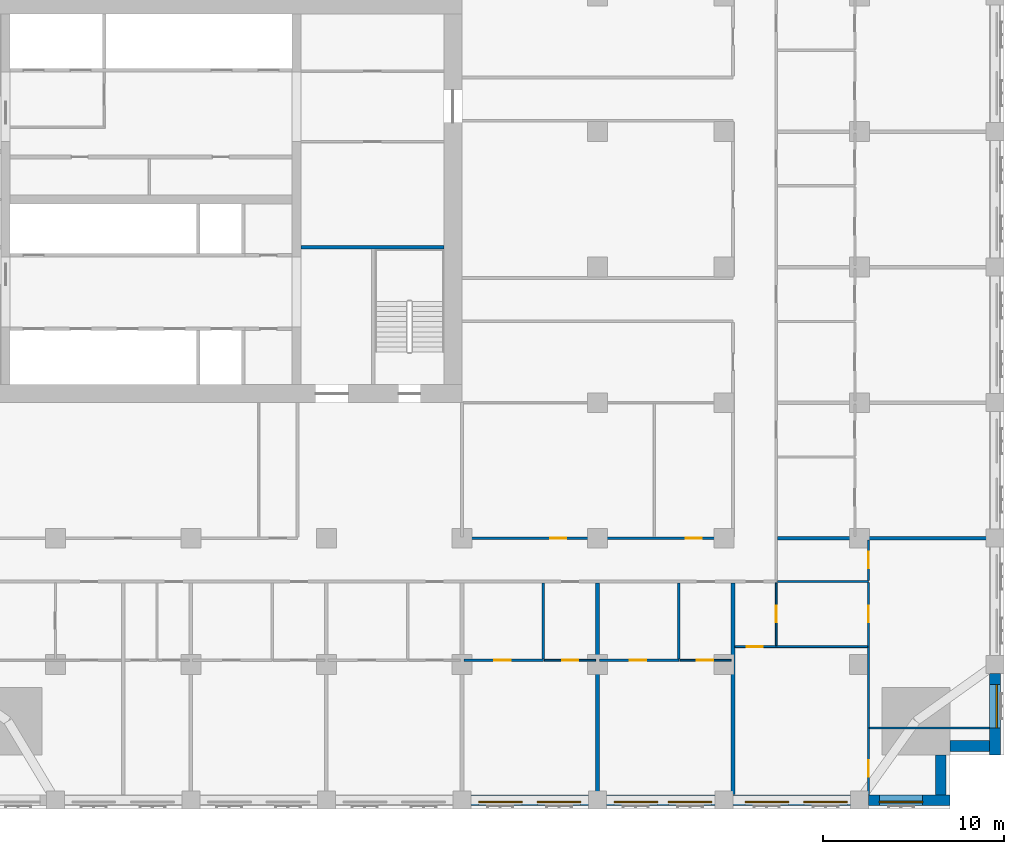
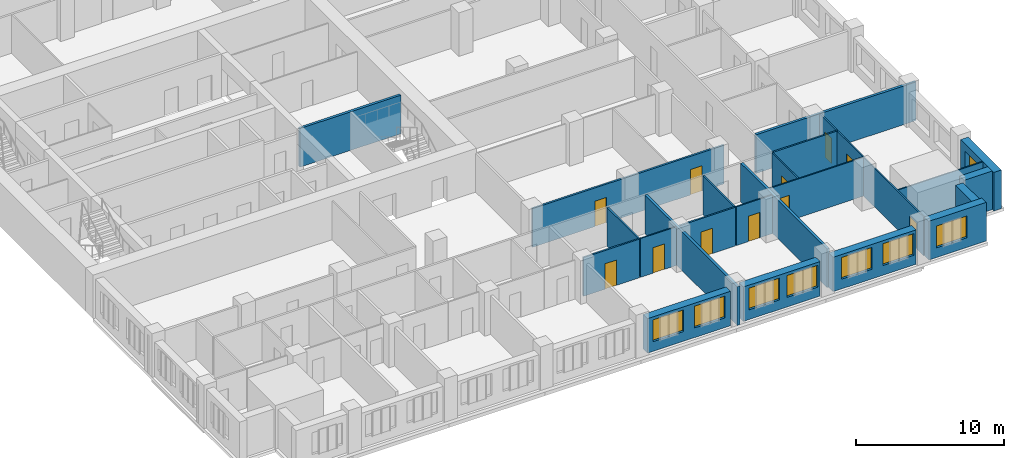
# One storey, part 6 of 14: 24 walls, 11 doors, 8 windows, 19 openings.
"""IFC4 building model written with IfcOpenShell, lengths in metres."""

from ifc_helpers import new_model, si_unit, direction, frame, frame_2d, origin, place, context, subcontext, project, spatial, rectangle, extrude, material, layer, layer_set, type_object, element, fill, save


model = new_model("IFC4")

# Units and contexts
model_context = context("Model", 3, precision=1e-05, world=origin(), true_north=direction((0.0, 1.0)))
body_context = subcontext(model_context, "Body", "Model", "MODEL_VIEW")
ifc_project = project(units=[si_unit("LENGTHUNIT", "METRE"), si_unit("AREAUNIT", "SQUARE_METRE"), si_unit("VOLUMEUNIT", "CUBIC_METRE"), si_unit("PLANEANGLEUNIT", "RADIAN"), si_unit("MASSUNIT", "GRAM", prefix="KILO")], contexts=[model_context])

# Site, building, storey
site_placement = place(None, origin())
site = spatial("IfcSite", under=ifc_project, at=site_placement, CompositionType="ELEMENT")
building_placement = place(site_placement, origin())
building = spatial("IfcBuilding", under=site, at=building_placement, Name="Tamorin Gate", CompositionType="ELEMENT")
storey_placement = place(building_placement, frame((0.0, 0.0, 115.10009765625)))
storey = spatial("IfcBuildingStorey", under=building, at=storey_placement, Name="L28", CompositionType="ELEMENT", Elevation=115.10009765625)

# Wall, openings, windows
ifc_material_1 = material(Name="Precast concrete C40/50", Category="concrete")
ifc_layer_1 = layer(ifc_material_1, 0.60009765625)
ifc_layer_set_1 = layer_set([ifc_layer_1], Name="Precast concrete C40/50")
wall_type_1 = type_object("IfcWallType", Name="Board-marked concrete facade panel 600", PredefinedType="SOLIDWALL", material=ifc_layer_set_1)
wall_1_placement = place(storey_placement, frame((60.5, 38.0, 0.0), z_axis=(0.0, 0.0, 1.0), x_axis=(1.0, 0.0, 0.0)))
wall_1 = element("IfcWall", 1, at=wall_1_placement, inside=storey, type_object=wall_type_1, Name="Facade panel", PredefinedType="SOLIDWALL", context=body_context, shape_type="SweptSolid", body=[
    extrude(rectangle(XDim=6.5, YDim=0.60009765625, at=frame_2d((3.25, 0.0))), origin(), (0.0, 0.0, 1.0), 2.849853515625),
])
opening_1_placement = place(wall_1_placement, frame((0.425048828125, 0.0, 0.800048828125)))
opening_1 = element("IfcOpeningElement", 2, at=opening_1_placement, cuts=wall_1, Name="Opening WN1", PredefinedType="OPENING", context=body_context, shape_type="SweptSolid", body=[
    extrude(rectangle(XDim=2.39990234375, YDim=1.800048828125, at=frame_2d((1.199951171875, 0.89990234375))), frame((0.0, 0.31005859375, 0.0), z_axis=(0.0, -1.0, 0.0), x_axis=(1.0, 0.0, 0.0)), (0.0, 0.0, 1.0), 0.6201171875),
])
opening_2_placement = place(wall_1_placement, frame((3.675048828125, 0.0, 0.800048828125)))
opening_2 = element("IfcOpeningElement", 3, at=opening_2_placement, cuts=wall_1, Name="Opening WN1", PredefinedType="OPENING", context=body_context, shape_type="SweptSolid", body=[
    extrude(rectangle(XDim=2.39990234375, YDim=1.800048828125, at=frame_2d((1.199951171875, 0.89990234375))), frame((0.0, 0.31005859375, 0.0), z_axis=(0.0, -1.0, 0.0), x_axis=(1.0, 0.0, 0.0)), (0.0, 0.0, 1.0), 0.6201171875),
])
ifc_material_2 = material(Name="Clear glass in aluminium frame", Category="aluminium")
window_type = type_object("IfcWindowType", Name="Deep-set window 2400x1800", PartitioningType="SINGLE_PANEL", PredefinedType="WINDOW", material=ifc_material_2)
window_1_placement = place(opening_1_placement, origin())
window_1 = element("IfcWindow", 4, at=window_1_placement, inside=storey, type_object=window_type, Name="Deep-set window", OverallHeight=1.800048828125, OverallWidth=2.39990234375, PartitioningType="SINGLE_PANEL", PredefinedType="WINDOW", context=body_context, shape_type="SweptSolid", body=[
    extrude(rectangle(XDim=2.39990234375, YDim=1.800048828125, at=frame_2d((1.199951171875, 0.89990234375))), frame((0.0, -0.070068359375, 0.0), z_axis=(0.0, -1.0, 0.0), x_axis=(1.0, 0.0, 0.0)), (0.0, 0.0, 1.0), 0.06005859375),
])
fill(opening_1, window_1)
window_2_placement = place(opening_2_placement, origin())
window_2 = element("IfcWindow", 5, at=window_2_placement, inside=storey, type_object=window_type, Name="Deep-set window", OverallHeight=1.800048828125, OverallWidth=2.39990234375, PartitioningType="SINGLE_PANEL", PredefinedType="WINDOW", context=body_context, shape_type="SweptSolid", body=[
    extrude(rectangle(XDim=2.39990234375, YDim=1.800048828125, at=frame_2d((1.199951171875, 0.89990234375))), frame((0.0, -0.070068359375, 0.0), z_axis=(0.0, -1.0, 0.0), x_axis=(1.0, 0.0, 0.0)), (0.0, 0.0, 1.0), 0.06005859375),
])
fill(opening_2, window_2)

wall_2_placement = place(storey_placement, frame((68.0, 38.0, 0.0), z_axis=(0.0, 0.0, 1.0), x_axis=(1.0, 0.0, 0.0)))
wall_2 = element("IfcWall", 6, at=wall_2_placement, inside=storey, type_object=wall_type_1, Name="Facade panel", PredefinedType="SOLIDWALL", context=body_context, shape_type="SweptSolid", body=[
    extrude(rectangle(XDim=6.0, YDim=0.60009765625, at=frame_2d((3.0, 0.0))), origin(), (0.0, 0.0, 1.0), 2.849853515625),
])
opening_3_placement = place(wall_2_placement, frame((0.425048828125, 0.0, 0.800048828125)))
opening_3 = element("IfcOpeningElement", 7, at=opening_3_placement, cuts=wall_2, Name="Opening WN1", PredefinedType="OPENING", context=body_context, shape_type="SweptSolid", body=[
    extrude(rectangle(XDim=2.39990234375, YDim=1.800048828125, at=frame_2d((1.199951171875, 0.89990234375))), frame((0.0, 0.31005859375, 0.0), z_axis=(0.0, -1.0, 0.0), x_axis=(1.0, 0.0, 0.0)), (0.0, 0.0, 1.0), 0.6201171875),
])
opening_4_placement = place(wall_2_placement, frame((3.425048828125, 0.0, 0.800048828125)))
opening_4 = element("IfcOpeningElement", 8, at=opening_4_placement, cuts=wall_2, Name="Opening WN1", PredefinedType="OPENING", context=body_context, shape_type="SweptSolid", body=[
    extrude(rectangle(XDim=2.39990234375, YDim=1.800048828125, at=frame_2d((1.199951171875, 0.89990234375))), frame((0.0, 0.31005859375, 0.0), z_axis=(0.0, -1.0, 0.0), x_axis=(1.0, 0.0, 0.0)), (0.0, 0.0, 1.0), 0.6201171875),
])
window_3_placement = place(opening_3_placement, origin())
window_3 = element("IfcWindow", 9, at=window_3_placement, inside=storey, type_object=window_type, Name="Deep-set window", OverallHeight=1.800048828125, OverallWidth=2.39990234375, PartitioningType="SINGLE_PANEL", PredefinedType="WINDOW", context=body_context, shape_type="SweptSolid", body=[
    extrude(rectangle(XDim=2.39990234375, YDim=1.800048828125, at=frame_2d((1.199951171875, 0.89990234375))), frame((0.0, -0.070068359375, 0.0), z_axis=(0.0, -1.0, 0.0), x_axis=(1.0, 0.0, 0.0)), (0.0, 0.0, 1.0), 0.06005859375),
])
fill(opening_3, window_3)
window_4_placement = place(opening_4_placement, origin())
window_4 = element("IfcWindow", 10, at=window_4_placement, inside=storey, type_object=window_type, Name="Deep-set window", OverallHeight=1.800048828125, OverallWidth=2.39990234375, PartitioningType="SINGLE_PANEL", PredefinedType="WINDOW", context=body_context, shape_type="SweptSolid", body=[
    extrude(rectangle(XDim=2.39990234375, YDim=1.800048828125, at=frame_2d((1.199951171875, 0.89990234375))), frame((0.0, -0.070068359375, 0.0), z_axis=(0.0, -1.0, 0.0), x_axis=(1.0, 0.0, 0.0)), (0.0, 0.0, 1.0), 0.06005859375),
])
fill(opening_4, window_4)

wall_3_placement = place(storey_placement, frame((75.0, 38.0, 0.0), z_axis=(0.0, 0.0, 1.0), x_axis=(1.0, 0.0, 0.0)))
wall_3 = element("IfcWall", 11, at=wall_3_placement, inside=storey, type_object=wall_type_1, Name="Facade panel", PredefinedType="SOLIDWALL", context=body_context, shape_type="SweptSolid", body=[
    extrude(rectangle(XDim=6.5, YDim=0.60009765625, at=frame_2d((3.25, 0.0))), origin(), (0.0, 0.0, 1.0), 2.849853515625),
])
opening_5_placement = place(wall_3_placement, frame((0.675048828125, 0.0, 0.800048828125)))
opening_5 = element("IfcOpeningElement", 12, at=opening_5_placement, cuts=wall_3, Name="Opening WN1", PredefinedType="OPENING", context=body_context, shape_type="SweptSolid", body=[
    extrude(rectangle(XDim=2.39990234375, YDim=1.800048828125, at=frame_2d((1.199951171875, 0.89990234375))), frame((0.0, 0.31005859375, 0.0), z_axis=(0.0, -1.0, 0.0), x_axis=(1.0, 0.0, 0.0)), (0.0, 0.0, 1.0), 0.6201171875),
])
opening_6_placement = place(wall_3_placement, frame((3.925048828125, 0.0, 0.800048828125)))
opening_6 = element("IfcOpeningElement", 13, at=opening_6_placement, cuts=wall_3, Name="Opening WN1", PredefinedType="OPENING", context=body_context, shape_type="SweptSolid", body=[
    extrude(rectangle(XDim=2.39990234375, YDim=1.800048828125, at=frame_2d((1.199951171875, 0.89990234375))), frame((0.0, 0.31005859375, 0.0), z_axis=(0.0, -1.0, 0.0), x_axis=(1.0, 0.0, 0.0)), (0.0, 0.0, 1.0), 0.6201171875),
])
window_5_placement = place(opening_5_placement, origin())
window_5 = element("IfcWindow", 14, at=window_5_placement, inside=storey, type_object=window_type, Name="Deep-set window", OverallHeight=1.800048828125, OverallWidth=2.39990234375, PartitioningType="SINGLE_PANEL", PredefinedType="WINDOW", context=body_context, shape_type="SweptSolid", body=[
    extrude(rectangle(XDim=2.39990234375, YDim=1.800048828125, at=frame_2d((1.199951171875, 0.89990234375))), frame((0.0, -0.070068359375, 0.0), z_axis=(0.0, -1.0, 0.0), x_axis=(1.0, 0.0, 0.0)), (0.0, 0.0, 1.0), 0.06005859375),
])
fill(opening_5, window_5)
window_6_placement = place(opening_6_placement, origin())
window_6 = element("IfcWindow", 15, at=window_6_placement, inside=storey, type_object=window_type, Name="Deep-set window", OverallHeight=1.800048828125, OverallWidth=2.39990234375, PartitioningType="SINGLE_PANEL", PredefinedType="WINDOW", context=body_context, shape_type="SweptSolid", body=[
    extrude(rectangle(XDim=2.39990234375, YDim=1.800048828125, at=frame_2d((1.199951171875, 0.89990234375))), frame((0.0, -0.070068359375, 0.0), z_axis=(0.0, -1.0, 0.0), x_axis=(1.0, 0.0, 0.0)), (0.0, 0.0, 1.0), 0.06005859375),
])
fill(opening_6, window_6)

# Wall, opening, window
wall_4_placement = place(storey_placement, frame((82.5, 38.0, 0.0), z_axis=(0.0, 0.0, 1.0), x_axis=(1.0, 0.0, 0.0)))
wall_4 = element("IfcWall", 16, at=wall_4_placement, inside=storey, type_object=wall_type_1, Name="Facade panel", PredefinedType="SOLIDWALL", context=body_context, shape_type="SweptSolid", body=[
    extrude(rectangle(XDim=4.5, YDim=0.60009765625, at=frame_2d((2.25, 0.0))), origin(), (0.0, 0.0, 1.0), 3.199951171875),
])
opening_7_placement = place(wall_4_placement, frame((0.60009765625, 0.0, 0.800048828125)))
opening_7 = element("IfcOpeningElement", 17, at=opening_7_placement, cuts=wall_4, Name="Opening WN1", PredefinedType="OPENING", context=body_context, shape_type="SweptSolid", body=[
    extrude(rectangle(XDim=2.39990234375, YDim=1.800048828125, at=frame_2d((1.199951171875, 0.89990234375))), frame((0.0, 0.31005859375, 0.0), z_axis=(0.0, -1.0, 0.0), x_axis=(1.0, 0.0, 0.0)), (0.0, 0.0, 1.0), 0.6201171875),
])
window_7_placement = place(opening_7_placement, origin())
window_7 = element("IfcWindow", 18, at=window_7_placement, inside=storey, type_object=window_type, Name="Deep-set window", OverallHeight=1.800048828125, OverallWidth=2.39990234375, PartitioningType="SINGLE_PANEL", PredefinedType="WINDOW", context=body_context, shape_type="SweptSolid", body=[
    extrude(rectangle(XDim=2.39990234375, YDim=1.800048828125, at=frame_2d((1.199951171875, 0.89990234375))), frame((0.0, -0.070068359375, 0.0), z_axis=(0.0, -1.0, 0.0), x_axis=(1.0, 0.0, 0.0)), (0.0, 0.0, 1.0), 0.06005859375),
])
fill(opening_7, window_7)

# Walls
for number, where, z_axis, x_axis, name in (
    (19, (86.5, 38.300048828125, 0.0), (0.0, 0.0, 1.0), (0.0, 1.0, 0.0), "Facade panel"),
    (20, (87.0, 41.0, 0.0), (0.0, 0.0, 1.0), (1.0, 0.0, 0.0), "Facade panel"),
):
    element("IfcWall", number, at=place(storey_placement, frame(where, z_axis=z_axis, x_axis=x_axis)), inside=storey, type_object=wall_type_1, Name=name, PredefinedType="SOLIDWALL", context=body_context, shape_type="SweptSolid", body=[
        extrude(rectangle(XDim=2.199951171875, YDim=0.60009765625, at=frame_2d((1.10009765625, 0.0))), origin(), (0.0, 0.0, 1.0), 3.199951171875),
    ])

# Wall, opening, window
wall_5_placement = place(storey_placement, frame((89.5, 40.5, 0.0), z_axis=(0.0, 0.0, 1.0), x_axis=(0.0, 1.0, 0.0)))
wall_5 = element("IfcWall", 21, at=wall_5_placement, inside=storey, type_object=wall_type_1, Name="Facade panel", PredefinedType="SOLIDWALL", context=body_context, shape_type="SweptSolid", body=[
    extrude(rectangle(XDim=4.5, YDim=0.60009765625, at=frame_2d((2.25, 0.0))), origin(), (0.0, 0.0, 1.0), 3.199951171875),
])
opening_8_placement = place(wall_5_placement, frame((1.5, 0.0, 0.800048828125)))
opening_8 = element("IfcOpeningElement", 22, at=opening_8_placement, cuts=wall_5, Name="Opening WN1", PredefinedType="OPENING", context=body_context, shape_type="SweptSolid", body=[
    extrude(rectangle(XDim=2.39990234375, YDim=1.800048828125, at=frame_2d((1.199951171875, 0.89990234375))), frame((0.0, 0.31005859375, 0.0), z_axis=(0.0, -1.0, 0.0), x_axis=(1.0, 0.0, 0.0)), (0.0, 0.0, 1.0), 0.6201171875),
])
window_8_placement = place(opening_8_placement, origin())
window_8 = element("IfcWindow", 23, at=window_8_placement, inside=storey, type_object=window_type, Name="Deep-set window", OverallHeight=1.800048828125, OverallWidth=2.39990234375, PartitioningType="SINGLE_PANEL", PredefinedType="WINDOW", context=body_context, shape_type="SweptSolid", body=[
    extrude(rectangle(XDim=2.39990234375, YDim=1.800048828125, at=frame_2d((1.199951171875, 0.89990234375))), frame((0.0, -0.070068359375, 0.0), z_axis=(0.0, -1.0, 0.0), x_axis=(1.0, 0.0, 0.0)), (0.0, 0.0, 1.0), 0.06005859375),
])
fill(opening_8, window_8)

# Wall, openings, doors
ifc_material_3 = material(Name="Gypsum board partition")
ifc_layer_2 = layer(ifc_material_3, 0.14990234375)
ifc_layer_set_2 = layer_set([ifc_layer_2], Name="Corridor wall 150")
wall_type_2 = type_object("IfcWallType", Name="Corridor wall 150", PredefinedType="PARTITIONING", material=ifc_layer_set_2)
wall_6_placement = place(storey_placement, frame((60.0, 52.5, 0.0), z_axis=(0.0, 0.0, 1.0), x_axis=(1.0, 0.0, 0.0)))
wall_6 = element("IfcWall", 24, at=wall_6_placement, inside=storey, type_object=wall_type_2, Name="Corridor wall 150", PredefinedType="PARTITIONING", context=body_context, shape_type="SweptSolid", body=[
    extrude(rectangle(XDim=15.0, YDim=0.14990234375, at=frame_2d((7.5, 0.0))), origin(), (0.0, 0.0, 1.0), 3.199951171875),
])
opening_9_placement = place(wall_6_placement, frame((4.875, 0.0, 0.0)))
opening_9 = element("IfcOpeningElement", 25, at=opening_9_placement, cuts=wall_6, Name="Opening DH7068", PredefinedType="OPENING", context=body_context, shape_type="SweptSolid", body=[
    extrude(rectangle(XDim=0.89990234375, YDim=2.10009765625, at=frame_2d((0.449951171875, 1.050048828125))), frame((0.0, 0.0849609375, 0.0), z_axis=(0.0, -1.0, 0.0), x_axis=(1.0, 0.0, 0.0)), (0.0, 0.0, 1.0), 0.169921875),
])
opening_10_placement = place(wall_6_placement, frame((12.375, 0.0, 0.0)))
opening_10 = element("IfcOpeningElement", 26, at=opening_10_placement, cuts=wall_6, Name="Opening DH7069", PredefinedType="OPENING", context=body_context, shape_type="SweptSolid", body=[
    extrude(rectangle(XDim=0.89990234375, YDim=2.10009765625, at=frame_2d((0.449951171875, 1.050048828125))), frame((0.0, 0.0849609375, 0.0), z_axis=(0.0, -1.0, 0.0), x_axis=(1.0, 0.0, 0.0)), (0.0, 0.0, 1.0), 0.169921875),
])
ifc_material_4 = material(Name="Timber door leaf", Category="wood")
door_type_1 = type_object("IfcDoorType", Name="Door 900 x 2100 FD30S", OperationType="NOTDEFINED", PredefinedType="DOOR", material=ifc_material_4)
door_1_placement = place(opening_9_placement, origin())
door_1 = element("IfcDoor", 27, at=door_1_placement, inside=storey, type_object=door_type_1, Name="Door DH7068", OperationType="SINGLE_SWING_RIGHT", OverallHeight=2.10009765625, OverallWidth=0.89990234375, PredefinedType="DOOR", context=body_context, shape_type="SweptSolid", body=[
    extrude(rectangle(XDim=0.89990234375, YDim=2.10009765625, at=frame_2d((0.449951171875, 1.050048828125))), frame((0.0, 0.02490234375, 0.0), z_axis=(0.0, -1.0, 0.0), x_axis=(1.0, 0.0, 0.0)), (0.0, 0.0, 1.0), 0.050048828125),
])
fill(opening_9, door_1)
door_2_placement = place(opening_10_placement, origin())
door_2 = element("IfcDoor", 28, at=door_2_placement, inside=storey, type_object=door_type_1, Name="Door DH7069", OperationType="SINGLE_SWING_RIGHT", OverallHeight=2.10009765625, OverallWidth=0.89990234375, PredefinedType="DOOR", context=body_context, shape_type="SweptSolid", body=[
    extrude(rectangle(XDim=0.89990234375, YDim=2.10009765625, at=frame_2d((0.449951171875, 1.050048828125))), frame((0.0, 0.02490234375, 0.0), z_axis=(0.0, -1.0, 0.0), x_axis=(1.0, 0.0, 0.0)), (0.0, 0.0, 1.0), 0.050048828125),
])
fill(opening_10, door_2)

# Walls
ifc_layer_3 = layer(ifc_material_3, 0.199951171875)
ifc_layer_set_3 = layer_set([ifc_layer_3], Name="Demising wall 200")
wall_type_3 = type_object("IfcWallType", Name="Demising wall 200", PredefinedType="PARTITIONING", material=ifc_layer_set_3)
for number, where, z_axis, x_axis, name in (
    (29, (77.47509765625, 52.5, 0.0), (0.0, 0.0, 1.0), (1.0, 0.0, 0.0), "Demising wall 200"),
    (30, (67.5, 37.5, 0.0), (0.0, 0.0, 1.0), (0.0, 1.0, 0.0), "Demising wall 200"),
):
    element("IfcWall", number, at=place(storey_placement, frame(where, z_axis=z_axis, x_axis=x_axis)), inside=storey, type_object=wall_type_3, Name=name, PredefinedType="PARTITIONING", context=body_context, shape_type="SweptSolid", body=[
        extrude(rectangle(XDim=12.52490234375, YDim=0.199951171875, at=frame_2d((6.262451171875, 0.0))), origin(), (0.0, 0.0, 1.0), 3.199951171875),
    ])
wall_7_placement = place(storey_placement, frame((75.0, 38.31005859375, 0.0), z_axis=(0.0, 0.0, 1.0), x_axis=(0.0, 1.0, 0.0)))
element("IfcWall", 31, at=wall_7_placement, inside=storey, type_object=wall_type_3, Name="Demising wall 200", PredefinedType="PARTITIONING", context=body_context, shape_type="SweptSolid", body=[
    extrude(rectangle(XDim=11.71484375, YDim=0.199951171875, at=frame_2d((5.857421875, 0.0))), origin(), (0.0, 0.0, 1.0), 3.199951171875),
])
ifc_layer_4 = layer(ifc_material_3, 0.10009765625)
ifc_layer_set_4 = layer_set([ifc_layer_4], Name="Room partition 100")
wall_type_4 = type_object("IfcWallType", Name="Room partition 100", PredefinedType="PARTITIONING", material=ifc_layer_set_4)
wall_8_placement = place(storey_placement, frame((82.550048828125, 42.0, 0.0), z_axis=(0.0, 0.0, 1.0), x_axis=(1.0, 0.0, 0.0)))
element("IfcWall", 32, at=wall_8_placement, inside=storey, type_object=wall_type_4, Name="Room partition 100", PredefinedType="PARTITIONING", context=body_context, shape_type="SweptSolid", body=[
    extrude(rectangle(XDim=6.639892578125, YDim=0.10009765625, at=frame_2d((3.31982421875, 0.0))), origin(), (0.0, 0.0, 1.0), 3.199951171875),
])

# Wall, opening, door
wall_9_placement = place(storey_placement, frame((64.5625, 45.75, 0.0), z_axis=(0.0, 0.0, 1.0), x_axis=(1.0, 0.0, 0.0)))
wall_9 = element("IfcWall", 33, at=wall_9_placement, inside=storey, type_object=wall_type_4, Name="Room partition 100", PredefinedType="PARTITIONING", context=body_context, shape_type="SweptSolid", body=[
    extrude(rectangle(XDim=2.83740234375, YDim=0.10009765625, at=frame_2d((1.418701171875, 0.0))), origin(), (0.0, 0.0, 1.0), 3.199951171875),
])
opening_11_placement = place(wall_9_placement, frame((0.987548828125, 0.0, 0.0)))
opening_11 = element("IfcOpeningElement", 34, at=opening_11_placement, cuts=wall_9, Name="Opening DH7016", PredefinedType="OPENING", context=body_context, shape_type="SweptSolid", body=[
    extrude(rectangle(XDim=0.89990234375, YDim=2.10009765625, at=frame_2d((0.449951171875, 1.050048828125))), frame((0.0, 0.06005859375, 0.0), z_axis=(0.0, -1.0, 0.0), x_axis=(1.0, 0.0, 0.0)), (0.0, 0.0, 1.0), 0.1201171875),
])
door_type_2 = type_object("IfcDoorType", Name="Door 900 x 2100", OperationType="NOTDEFINED", PredefinedType="DOOR", material=ifc_material_4)
door_3_placement = place(opening_11_placement, origin())
door_3 = element("IfcDoor", 35, at=door_3_placement, inside=storey, type_object=door_type_2, Name="Door DH7016", OperationType="SINGLE_SWING_LEFT", OverallHeight=2.10009765625, OverallWidth=0.89990234375, PredefinedType="DOOR", context=body_context, shape_type="SweptSolid", body=[
    extrude(rectangle(XDim=0.89990234375, YDim=2.10009765625, at=frame_2d((0.449951171875, 1.050048828125))), frame((0.0, 0.02490234375, 0.0), z_axis=(0.0, -1.0, 0.0), x_axis=(1.0, 0.0, 0.0)), (0.0, 0.0, 1.0), 0.050048828125),
])
fill(opening_11, door_3)

wall_10_placement = place(storey_placement, frame((72.0625, 45.75, 0.0), z_axis=(0.0, 0.0, 1.0), x_axis=(1.0, 0.0, 0.0)))
wall_10 = element("IfcWall", 36, at=wall_10_placement, inside=storey, type_object=wall_type_4, Name="Room partition 100", PredefinedType="PARTITIONING", context=body_context, shape_type="SweptSolid", body=[
    extrude(rectangle(XDim=2.83740234375, YDim=0.10009765625, at=frame_2d((1.418701171875, 0.0))), origin(), (0.0, 0.0, 1.0), 3.199951171875),
])
opening_12_placement = place(wall_10_placement, frame((0.9375, 0.0, 0.0)))
opening_12 = element("IfcOpeningElement", 37, at=opening_12_placement, cuts=wall_10, Name="Opening DH7019", PredefinedType="OPENING", context=body_context, shape_type="SweptSolid", body=[
    extrude(rectangle(XDim=0.89990234375, YDim=2.10009765625, at=frame_2d((0.449951171875, 1.050048828125))), frame((0.0, 0.06005859375, 0.0), z_axis=(0.0, -1.0, 0.0), x_axis=(1.0, 0.0, 0.0)), (0.0, 0.0, 1.0), 0.1201171875),
])
door_4_placement = place(opening_12_placement, origin())
door_4 = element("IfcDoor", 38, at=door_4_placement, inside=storey, type_object=door_type_2, Name="Door DH7019", OperationType="SINGLE_SWING_LEFT", OverallHeight=2.10009765625, OverallWidth=0.89990234375, PredefinedType="DOOR", context=body_context, shape_type="SweptSolid", body=[
    extrude(rectangle(XDim=0.89990234375, YDim=2.10009765625, at=frame_2d((0.449951171875, 1.050048828125))), frame((0.0, 0.02490234375, 0.0), z_axis=(0.0, -1.0, 0.0), x_axis=(1.0, 0.0, 0.0)), (0.0, 0.0, 1.0), 0.050048828125),
])
fill(opening_12, door_4)

wall_11_placement = place(storey_placement, frame((75.10009765625, 46.5, 0.0), z_axis=(0.0, 0.0, 1.0), x_axis=(1.0, 0.0, 0.0)))
wall_11 = element("IfcWall", 39, at=wall_11_placement, inside=storey, type_object=wall_type_4, Name="Room partition 100", PredefinedType="PARTITIONING", context=body_context, shape_type="SweptSolid", body=[
    extrude(rectangle(XDim=7.349853515625, YDim=0.10009765625, at=frame_2d((3.6748046875, 0.0))), origin(), (0.0, 0.0, 1.0), 3.199951171875),
])
opening_13_placement = place(wall_11_placement, frame((0.64990234375, 0.0, 0.0)))
opening_13 = element("IfcOpeningElement", 40, at=opening_13_placement, cuts=wall_11, Name="Opening DH7055", PredefinedType="OPENING", context=body_context, shape_type="SweptSolid", body=[
    extrude(rectangle(XDim=0.89990234375, YDim=2.10009765625, at=frame_2d((0.449951171875, 1.050048828125))), frame((0.0, 0.06005859375, 0.0), z_axis=(0.0, -1.0, 0.0), x_axis=(1.0, 0.0, 0.0)), (0.0, 0.0, 1.0), 0.1201171875),
])
door_5_placement = place(opening_13_placement, origin())
door_5 = element("IfcDoor", 41, at=door_5_placement, inside=storey, type_object=door_type_2, Name="Door DH7055", OperationType="SINGLE_SWING_RIGHT", OverallHeight=2.10009765625, OverallWidth=0.89990234375, PredefinedType="DOOR", context=body_context, shape_type="SweptSolid", body=[
    extrude(rectangle(XDim=0.89990234375, YDim=2.10009765625, at=frame_2d((0.449951171875, 1.050048828125))), frame((0.0, 0.02490234375, 0.0), z_axis=(0.0, -1.0, 0.0), x_axis=(1.0, 0.0, 0.0)), (0.0, 0.0, 1.0), 0.050048828125),
])
fill(opening_13, door_5)

wall_12_placement = place(storey_placement, frame((77.39990234375, 46.550048828125, 0.0), z_axis=(0.0, 0.0, 1.0), x_axis=(0.0, 1.0, 0.0)))
wall_12 = element("IfcWall", 42, at=wall_12_placement, inside=storey, type_object=wall_type_4, Name="Room partition 100", PredefinedType="PARTITIONING", context=body_context, shape_type="SweptSolid", body=[
    extrude(rectangle(XDim=3.474853515625, YDim=0.10009765625, at=frame_2d((1.7373046875, 0.0))), origin(), (0.0, 0.0, 1.0), 3.199951171875),
])
opening_14_placement = place(wall_12_placement, frame((1.300048828125, 0.0, 0.0)))
opening_14 = element("IfcOpeningElement", 43, at=opening_14_placement, cuts=wall_12, Name="Opening DH7056", PredefinedType="OPENING", context=body_context, shape_type="SweptSolid", body=[
    extrude(rectangle(XDim=0.89990234375, YDim=2.10009765625, at=frame_2d((0.449951171875, 1.050048828125))), frame((0.0, 0.06005859375, 0.0), z_axis=(0.0, -1.0, 0.0), x_axis=(1.0, 0.0, 0.0)), (0.0, 0.0, 1.0), 0.1201171875),
])
door_6_placement = place(opening_14_placement, origin())
door_6 = element("IfcDoor", 44, at=door_6_placement, inside=storey, type_object=door_type_2, Name="Door DH7056", OperationType="SINGLE_SWING_RIGHT", OverallHeight=2.10009765625, OverallWidth=0.89990234375, PredefinedType="DOOR", context=body_context, shape_type="SweptSolid", body=[
    extrude(rectangle(XDim=0.89990234375, YDim=2.10009765625, at=frame_2d((0.449951171875, 1.050048828125))), frame((0.0, 0.02490234375, 0.0), z_axis=(0.0, -1.0, 0.0), x_axis=(1.0, 0.0, 0.0)), (0.0, 0.0, 1.0), 0.050048828125),
])
fill(opening_14, door_6)

# Wall, openings, doors
wall_13_placement = place(storey_placement, frame((82.5, 38.31005859375, 0.0), z_axis=(0.0, 0.0, 1.0), x_axis=(0.0, 1.0, 0.0)))
wall_13 = element("IfcWall", 45, at=wall_13_placement, inside=storey, type_object=wall_type_4, Name="Room partition 100", PredefinedType="PARTITIONING", context=body_context, shape_type="SweptSolid", body=[
    extrude(rectangle(XDim=11.7275390625, YDim=0.10009765625, at=frame_2d((5.86376953125, 0.0))), origin(), (0.0, 0.0, 1.0), 3.199951171875),
])
opening_15_placement = place(wall_13_placement, frame((0.989990234375, 0.0, 0.0)))
opening_15 = element("IfcOpeningElement", 46, at=opening_15_placement, cuts=wall_13, Name="Opening DH7057", PredefinedType="OPENING", context=body_context, shape_type="SweptSolid", body=[
    extrude(rectangle(XDim=0.89990234375, YDim=2.10009765625, at=frame_2d((0.449951171875, 1.050048828125))), frame((0.0, 0.06005859375, 0.0), z_axis=(0.0, -1.0, 0.0), x_axis=(1.0, 0.0, 0.0)), (0.0, 0.0, 1.0), 0.1201171875),
])
opening_16_placement = place(wall_13_placement, frame((9.5400390625, 0.0, 0.0)))
opening_16 = element("IfcOpeningElement", 47, at=opening_16_placement, cuts=wall_13, Name="Opening DH7058", PredefinedType="OPENING", context=body_context, shape_type="SweptSolid", body=[
    extrude(rectangle(XDim=0.89990234375, YDim=2.10009765625, at=frame_2d((0.449951171875, 1.050048828125))), frame((0.0, 0.06005859375, 0.0), z_axis=(0.0, -1.0, 0.0), x_axis=(1.0, 0.0, 0.0)), (0.0, 0.0, 1.0), 0.1201171875),
])
door_7_placement = place(opening_15_placement, origin())
door_7 = element("IfcDoor", 48, at=door_7_placement, inside=storey, type_object=door_type_2, Name="Door DH7057", OperationType="SINGLE_SWING_LEFT", OverallHeight=2.10009765625, OverallWidth=0.89990234375, PredefinedType="DOOR", context=body_context, shape_type="SweptSolid", body=[
    extrude(rectangle(XDim=0.89990234375, YDim=2.10009765625, at=frame_2d((0.449951171875, 1.050048828125))), frame((0.0, 0.02490234375, 0.0), z_axis=(0.0, -1.0, 0.0), x_axis=(1.0, 0.0, 0.0)), (0.0, 0.0, 1.0), 0.050048828125),
])
fill(opening_15, door_7)
door_8_placement = place(opening_16_placement, origin())
door_8 = element("IfcDoor", 49, at=door_8_placement, inside=storey, type_object=door_type_2, Name="Door DH7058", OperationType="SINGLE_SWING_RIGHT", OverallHeight=2.10009765625, OverallWidth=0.89990234375, PredefinedType="DOOR", context=body_context, shape_type="SweptSolid", body=[
    extrude(rectangle(XDim=0.89990234375, YDim=2.10009765625, at=frame_2d((0.449951171875, 1.050048828125))), frame((0.0, 0.02490234375, 0.0), z_axis=(0.0, -1.0, 0.0), x_axis=(1.0, 0.0, 0.0)), (0.0, 0.0, 1.0), 0.050048828125),
])
fill(opening_16, door_8)

# Wall
ifc_material_5 = material(Name="Concrete C40/50", Category="concrete")
ifc_layer_5 = layer(ifc_material_5, 0.199951171875)
ifc_layer_set_5 = layer_set([ifc_layer_5], Name="Stair enclosure wall 200 EI 120 C40/50")
wall_type_5 = type_object("IfcWallType", Name="Stair enclosure wall 200 EI 120 C40/50", PredefinedType="SOLIDWALL", material=ifc_layer_set_5)
wall_14_placement = place(storey_placement, frame((51.10009765625, 68.60009765625, 0.0), z_axis=(0.0, 0.0, 1.0), x_axis=(1.0, 0.0, 0.0)))
element("IfcWall", 50, at=wall_14_placement, inside=storey, type_object=wall_type_5, Name="Stair enclosure wall", PredefinedType="SOLIDWALL", context=body_context, shape_type="SweptSolid", body=[
    extrude(rectangle(XDim=7.89990234375, YDim=0.199951171875, at=frame_2d((3.949951171875, 0.0))), origin(), (0.0, 0.0, 1.0), 3.18994140625),
])

# Wall, opening, door
ifc_layer_6 = layer(ifc_material_3, 0.125)
ifc_layer_set_6 = layer_set([ifc_layer_6], Name="Wet wall 125")
wall_type_6 = type_object("IfcWallType", Name="Wet wall 125", PredefinedType="PARTITIONING", material=ifc_layer_set_6)
wall_15_placement = place(storey_placement, frame((60.10009765625, 45.75, 0.0), z_axis=(0.0, 0.0, 1.0), x_axis=(1.0, 0.0, 0.0)))
wall_15 = element("IfcWall", 51, at=wall_15_placement, inside=storey, type_object=wall_type_6, Name="Wet wall 125", PredefinedType="PARTITIONING", context=body_context, shape_type="SweptSolid", body=[
    extrude(rectangle(XDim=4.39990234375, YDim=0.125, at=frame_2d((2.199951171875, 0.0))), origin(), (0.0, 0.0, 1.0), 3.199951171875),
])
opening_17_placement = place(wall_15_placement, frame((1.699951171875, 0.0, 0.0)))
opening_17 = element("IfcOpeningElement", 52, at=opening_17_placement, cuts=wall_15, Name="Opening DH7014", PredefinedType="OPENING", context=body_context, shape_type="SweptSolid", body=[
    extrude(rectangle(XDim=0.89990234375, YDim=2.10009765625, at=frame_2d((0.449951171875, 1.050048828125))), frame((0.0, 0.072509765625, 0.0), z_axis=(0.0, -1.0, 0.0), x_axis=(1.0, 0.0, 0.0)), (0.0, 0.0, 1.0), 0.14501953125),
])
door_9_placement = place(opening_17_placement, origin())
door_9 = element("IfcDoor", 53, at=door_9_placement, inside=storey, type_object=door_type_2, Name="Door DH7014", OperationType="SINGLE_SWING_LEFT", OverallHeight=2.10009765625, OverallWidth=0.89990234375, PredefinedType="DOOR", context=body_context, shape_type="SweptSolid", body=[
    extrude(rectangle(XDim=0.89990234375, YDim=2.10009765625, at=frame_2d((0.449951171875, 1.050048828125))), frame((0.0, 0.02490234375, 0.0), z_axis=(0.0, -1.0, 0.0), x_axis=(1.0, 0.0, 0.0)), (0.0, 0.0, 1.0), 0.050048828125),
])
fill(opening_17, door_9)

wall_16_placement = place(storey_placement, frame((67.60009765625, 45.75, 0.0), z_axis=(0.0, 0.0, 1.0), x_axis=(1.0, 0.0, 0.0)))
wall_16 = element("IfcWall", 54, at=wall_16_placement, inside=storey, type_object=wall_type_6, Name="Wet wall 125", PredefinedType="PARTITIONING", context=body_context, shape_type="SweptSolid", body=[
    extrude(rectangle(XDim=4.39990234375, YDim=0.125, at=frame_2d((2.199951171875, 0.0))), origin(), (0.0, 0.0, 1.0), 3.199951171875),
])
opening_18_placement = place(wall_16_placement, frame((1.699951171875, 0.0, 0.0)))
opening_18 = element("IfcOpeningElement", 55, at=opening_18_placement, cuts=wall_16, Name="Opening DH7017", PredefinedType="OPENING", context=body_context, shape_type="SweptSolid", body=[
    extrude(rectangle(XDim=0.89990234375, YDim=2.10009765625, at=frame_2d((0.449951171875, 1.050048828125))), frame((0.0, 0.072509765625, 0.0), z_axis=(0.0, -1.0, 0.0), x_axis=(1.0, 0.0, 0.0)), (0.0, 0.0, 1.0), 0.14501953125),
])
door_10_placement = place(opening_18_placement, origin())
door_10 = element("IfcDoor", 56, at=door_10_placement, inside=storey, type_object=door_type_2, Name="Door DH7017", OperationType="SINGLE_SWING_LEFT", OverallHeight=2.10009765625, OverallWidth=0.89990234375, PredefinedType="DOOR", context=body_context, shape_type="SweptSolid", body=[
    extrude(rectangle(XDim=0.89990234375, YDim=2.10009765625, at=frame_2d((0.449951171875, 1.050048828125))), frame((0.0, 0.02490234375, 0.0), z_axis=(0.0, -1.0, 0.0), x_axis=(1.0, 0.0, 0.0)), (0.0, 0.0, 1.0), 0.050048828125),
])
fill(opening_18, door_10)

# Walls
wall_17_placement = place(storey_placement, frame((77.47509765625, 50.10009765625, 0.0), z_axis=(0.0, 0.0, 1.0), x_axis=(1.0, 0.0, 0.0)))
element("IfcWall", 57, at=wall_17_placement, inside=storey, type_object=wall_type_6, Name="Wet wall 125", PredefinedType="PARTITIONING", context=body_context, shape_type="SweptSolid", body=[
    extrude(rectangle(XDim=5.02490234375, YDim=0.125, at=frame_2d((2.512451171875, 0.0))), origin(), (0.0, 0.0, 1.0), 3.199951171875),
])
for number, where, z_axis, x_axis, name in (
    (58, (64.5, 45.8125, 0.0), (0.0, 0.0, 1.0), (0.0, 1.0, 0.0), "Wet wall 125"),
    (59, (72.0, 45.8125, 0.0), (0.0, 0.0, 1.0), (0.0, 1.0, 0.0), "Wet wall 125"),
):
    element("IfcWall", number, at=place(storey_placement, frame(where, z_axis=z_axis, x_axis=x_axis)), inside=storey, type_object=wall_type_6, Name=name, PredefinedType="PARTITIONING", context=body_context, shape_type="SweptSolid", body=[
        extrude(rectangle(XDim=4.21240234375, YDim=0.125, at=frame_2d((2.106201171875, 0.0))), origin(), (0.0, 0.0, 1.0), 3.199951171875),
    ])

# Wall, opening, door
wall_18_placement = place(storey_placement, frame((82.5, 50.16259765625, 0.0), z_axis=(0.0, 0.0, 1.0), x_axis=(0.0, 1.0, 0.0)))
wall_18 = element("IfcWall", 60, at=wall_18_placement, inside=storey, type_object=wall_type_6, Name="Wet wall 125", PredefinedType="PARTITIONING", context=body_context, shape_type="SweptSolid", body=[
    extrude(rectangle(XDim=2.2373046875, YDim=0.125, at=frame_2d((1.11865234375, 0.0))), origin(), (0.0, 0.0, 1.0), 3.199951171875),
])
opening_19_placement = place(wall_18_placement, frame((0.6875, 0.0, 0.0)))
opening_19 = element("IfcOpeningElement", 61, at=opening_19_placement, cuts=wall_18, Name="Opening DH7059", PredefinedType="OPENING", context=body_context, shape_type="SweptSolid", body=[
    extrude(rectangle(XDim=0.89990234375, YDim=2.10009765625, at=frame_2d((0.449951171875, 1.050048828125))), frame((0.0, 0.072509765625, 0.0), z_axis=(0.0, -1.0, 0.0), x_axis=(1.0, 0.0, 0.0)), (0.0, 0.0, 1.0), 0.14501953125),
])
door_11_placement = place(opening_19_placement, origin())
door_11 = element("IfcDoor", 62, at=door_11_placement, inside=storey, type_object=door_type_2, Name="Door DH7059", OperationType="SINGLE_SWING_LEFT", OverallHeight=2.10009765625, OverallWidth=0.89990234375, PredefinedType="DOOR", context=body_context, shape_type="SweptSolid", body=[
    extrude(rectangle(XDim=0.89990234375, YDim=2.10009765625, at=frame_2d((0.449951171875, 1.050048828125))), frame((0.0, 0.02490234375, 0.0), z_axis=(0.0, -1.0, 0.0), x_axis=(1.0, 0.0, 0.0)), (0.0, 0.0, 1.0), 0.050048828125),
])
fill(opening_19, door_11)

save(model, "model.ifc")
